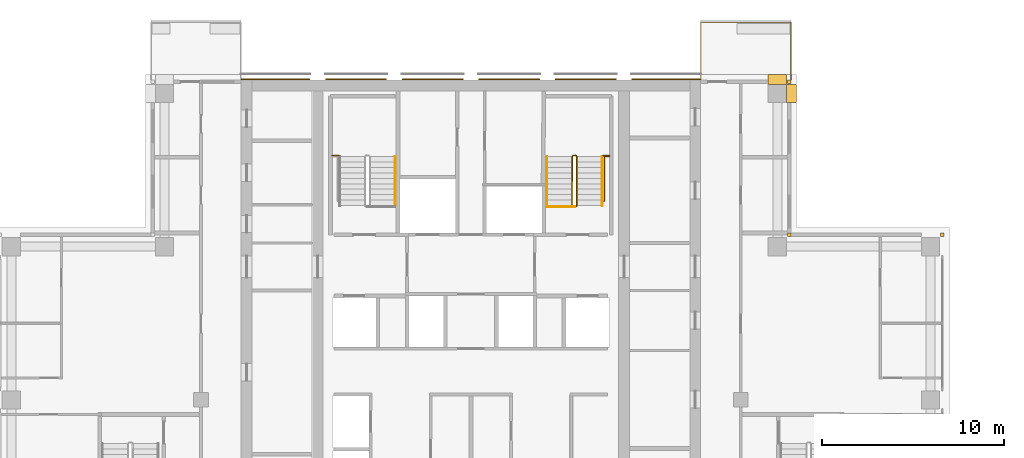
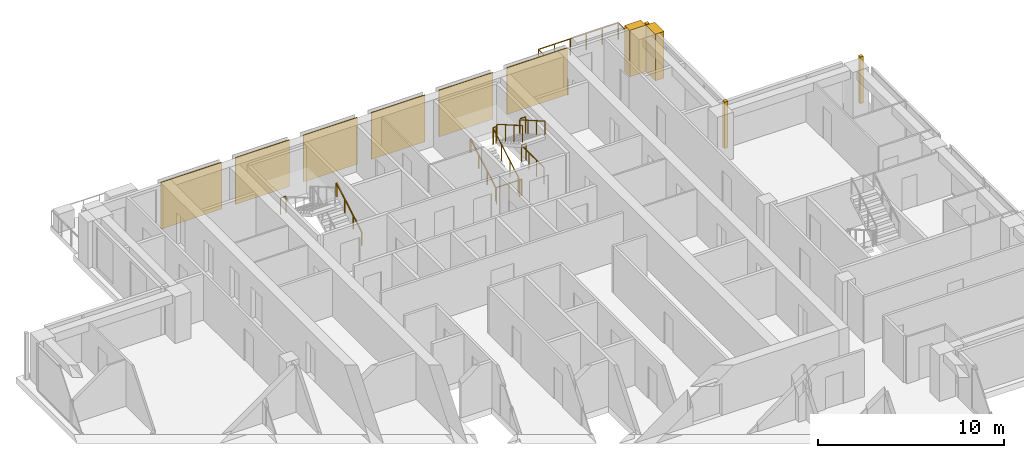
# One storey, part 17 of 17: 11 coverings, 9 railings.
"""IFC4 building model written with IfcOpenShell, lengths in metres."""

from ifc_helpers import new_model, si_unit, direction, frame, origin, origin_2d, place, context, subcontext, project, spatial, polyline, rectangle, outline, extrude, material, type_object, element, save


model = new_model("IFC4")

# Units and contexts
model_context = context("Model", 3, precision=1e-05, world=origin(), true_north=direction((0.0, 1.0)))
body_context = subcontext(model_context, "Body", "Model", "MODEL_VIEW")
ifc_project = project(units=[si_unit("LENGTHUNIT", "METRE"), si_unit("AREAUNIT", "SQUARE_METRE"), si_unit("VOLUMEUNIT", "CUBIC_METRE"), si_unit("PLANEANGLEUNIT", "RADIAN"), si_unit("MASSUNIT", "GRAM", prefix="KILO")], contexts=[model_context])

# Site, building, storey
site_placement = place(None, origin())
site = spatial("IfcSite", under=ifc_project, at=site_placement, CompositionType="ELEMENT")
building_placement = place(site_placement, origin())
building = spatial("IfcBuilding", under=site, at=building_placement, Name="Vermilion Ogive Tower", CompositionType="ELEMENT")
storey_placement = place(building_placement, frame((0.0, 0.0, 189.35009765625)))
storey = spatial("IfcBuildingStorey", under=building, at=storey_placement, Name="L49", CompositionType="ELEMENT", Elevation=189.35009765625)

# Railings
ifc_material_1 = material(Name="Stainless steel and glass", Category="steel")
railing_type_1 = type_object("IfcRailingType", Name="Balcony guard", PredefinedType="GUARDRAIL", material=ifc_material_1)
railing_1_placement = place(storey_placement, frame((17.550048828125, 21.75, -0.0400390625)))
element("IfcRailing", 1, at=railing_1_placement, inside=storey, type_object=railing_type_1, Name="Guard N101", PredefinedType="GUARDRAIL", context=body_context, shape_type="SweptSolid", body=[
    extrude(rectangle(XDim=0.048095703125, YDim=0.048095703125, at=origin_2d()), frame((0.0, 0.0, 1.076171875), z_axis=(0.0, 1.0, 0.0), x_axis=(-1.0, 0.0, 0.0)), (0.0, 0.0, 1.0), 3.159912109375),
    extrude(rectangle(XDim=0.048095703125, YDim=0.048095703125, at=origin_2d()), frame((0.0, 3.159912109375, 1.076171875), z_axis=(-1.0, 0.0, 0.0), x_axis=(0.0, -1.0, 0.0)), (0.0, 0.0, 1.0), 4.949951171875),
    extrude(rectangle(XDim=0.048095703125, YDim=0.048095703125, at=origin_2d()), frame((-4.949951171875, 3.159912109375, 1.076171875), z_axis=(0.0, -1.0, 0.0), x_axis=(1.0, 0.0, 0.0)), (0.0, 0.0, 1.0), 3.159912109375),
    extrude(rectangle(XDim=0.0419921875, YDim=0.0419921875, at=origin_2d()), origin(), (0.0, 0.0, 1.0), 1.052001953125),
    extrude(rectangle(XDim=0.0419921875, YDim=0.0419921875, at=origin_2d()), frame((0.0, 1.05322265625, 0.0)), (0.0, 0.0, 1.0), 1.052001953125),
    extrude(rectangle(XDim=0.0419921875, YDim=0.0419921875, at=origin_2d()), frame((0.0, 2.106689453125, 0.0)), (0.0, 0.0, 1.0), 1.052001953125),
    extrude(rectangle(XDim=0.0419921875, YDim=0.0419921875, at=origin_2d()), frame((0.0, 3.159912109375, 0.0)), (0.0, 0.0, 1.0), 1.052001953125),
    extrude(rectangle(XDim=0.0419921875, YDim=0.0419921875, at=origin_2d()), frame((-0.989990234375, 3.159912109375, 0.0)), (0.0, 0.0, 1.0), 1.052001953125),
    extrude(rectangle(XDim=0.0419921875, YDim=0.0419921875, at=origin_2d()), frame((-1.97998046875, 3.159912109375, 0.0)), (0.0, 0.0, 1.0), 1.052001953125),
    extrude(rectangle(XDim=0.0419921875, YDim=0.0419921875, at=origin_2d()), frame((-2.969970703125, 3.159912109375, 0.0)), (0.0, 0.0, 1.0), 1.052001953125),
    extrude(rectangle(XDim=0.0419921875, YDim=0.0419921875, at=origin_2d()), frame((-3.9599609375, 3.159912109375, 0.0)), (0.0, 0.0, 1.0), 1.052001953125),
    extrude(rectangle(XDim=0.0419921875, YDim=0.0419921875, at=origin_2d()), frame((-4.949951171875, 3.159912109375, 0.0)), (0.0, 0.0, 1.0), 1.052001953125),
    extrude(rectangle(XDim=0.0419921875, YDim=0.0419921875, at=origin_2d()), frame((-4.949951171875, 2.106689453125, 0.0)), (0.0, 0.0, 1.0), 1.052001953125),
    extrude(rectangle(XDim=0.0419921875, YDim=0.0419921875, at=origin_2d()), frame((-4.949951171875, 1.05322265625, 0.0)), (0.0, 0.0, 1.0), 1.052001953125),
    extrude(rectangle(XDim=0.0419921875, YDim=0.0419921875, at=origin_2d()), frame((-4.949951171875, 0.0, 0.0)), (0.0, 0.0, 1.0), 1.052001953125),
])
ifc_material_2 = material(Name="Steel S355 painted", Category="steel")
railing_type_2 = type_object("IfcRailingType", Name="Stair guard 1100", PredefinedType="GUARDRAIL", material=ifc_material_2)
railing_2_placement = place(storey_placement, frame((5.75, 14.800048828125, 0.0)))
element("IfcRailing", 2, at=railing_2_placement, inside=storey, type_object=railing_type_2, Name="L49 ST2 stair guard 4", PredefinedType="GUARDRAIL", context=body_context, shape_type="SweptSolid", body=[
    extrude(rectangle(XDim=0.048095703125, YDim=0.048095703125, at=origin_2d()), frame((0.0, 0.0, 1.076171875), z_axis=(-1.0, 0.0, 0.0), x_axis=(0.0, -1.0, 0.0)), (0.0, 0.0, 1.0), 0.14990234375),
    extrude(rectangle(XDim=0.048095703125, YDim=0.048095703125, at=origin_2d()), frame((-0.14990234375, 0.0, 1.076171875), z_axis=(-0.268603158521, 0.268603158521, 0.925043072762), x_axis=(-0.707106781187, -0.707106781187, 0.0)), (0.0, 0.0, 1.0), 0.186279296875),
    extrude(rectangle(XDim=0.048095703125, YDim=0.048095703125, at=origin_2d()), frame((-0.199951171875, 0.050048828125, 1.24853515625), z_axis=(0.0, 0.866903762492, 0.498475542607), x_axis=(-1.0, 0.0, 0.0)), (0.0, 0.0, 1.0), 3.114501953125),
    extrude(rectangle(XDim=0.048095703125, YDim=0.048095703125, at=origin_2d()), frame((-0.199951171875, 2.75, 2.80078125), z_axis=(0.707106781187, 0.707106781187, 0.0), x_axis=(-0.707106781187, 0.707106781187, 0.0)), (0.0, 0.0, 1.0), 0.07080078125),
    extrude(rectangle(XDim=0.048095703125, YDim=0.048095703125, at=origin_2d()), frame((-0.14990234375, 2.800048828125, 2.80078125), z_axis=(1.0, 0.0, 0.0), x_axis=(0.0, 1.0, 0.0)), (0.0, 0.0, 1.0), 0.14990234375),
    extrude(rectangle(XDim=0.048095703125, YDim=0.048095703125, at=origin_2d()), frame((0.0, 2.800048828125, 2.80078125), z_axis=(0.268277960024, -0.268277960024, 0.925231793839), x_axis=(0.707106781187, 0.707106781187, 0.0)), (0.0, 0.0, 1.0), 0.1865234375),
    extrude(rectangle(XDim=0.048095703125, YDim=0.048095703125, at=origin_2d()), frame((0.050048828125, 2.75, 2.9736328125), z_axis=(0.0, -0.866903762492, 0.498475542607), x_axis=(1.0, 0.0, 0.0)), (0.0, 0.0, 1.0), 3.114501953125),
    extrude(rectangle(XDim=0.0419921875, YDim=0.0419921875, at=origin_2d()), origin(), (0.0, 0.0, 1.0), 1.052001953125),
    extrude(rectangle(XDim=0.0419921875, YDim=0.0419921875, at=origin_2d()), frame((-0.14990234375, 0.0, 0.0)), (0.0, 0.0, 1.0), 1.052001953125),
    extrude(rectangle(XDim=0.0419921875, YDim=0.0419921875, at=origin_2d()), frame((-0.199951171875, 0.050048828125, 0.17236328125)), (0.0, 0.0, 1.0), 1.052001953125),
    extrude(rectangle(XDim=0.0419921875, YDim=0.0419921875, at=origin_2d()), frame((-0.199951171875, 0.949951171875, 0.68994140625)), (0.0, 0.0, 1.0), 1.052001953125),
    extrude(rectangle(XDim=0.0419921875, YDim=0.0419921875, at=origin_2d()), frame((-0.199951171875, 1.85009765625, 1.207275390625)), (0.0, 0.0, 1.0), 1.052001953125),
    extrude(rectangle(XDim=0.0419921875, YDim=0.0419921875, at=origin_2d()), frame((-0.199951171875, 2.75, 1.724853515625)), (0.0, 0.0, 1.0), 1.052001953125),
    extrude(rectangle(XDim=0.0419921875, YDim=0.0419921875, at=origin_2d()), frame((-0.14990234375, 2.800048828125, 1.724853515625)), (0.0, 0.0, 1.0), 1.052001953125),
    extrude(rectangle(XDim=0.0419921875, YDim=0.0419921875, at=origin_2d()), frame((0.0, 2.800048828125, 1.724853515625)), (0.0, 0.0, 1.0), 1.052001953125),
    extrude(rectangle(XDim=0.0419921875, YDim=0.0419921875, at=origin_2d()), frame((0.050048828125, 2.75, 1.8974609375)), (0.0, 0.0, 1.0), 1.052001953125),
    extrude(rectangle(XDim=0.0419921875, YDim=0.0419921875, at=origin_2d()), frame((0.050048828125, 1.85009765625, 2.4150390625)), (0.0, 0.0, 1.0), 1.052001953125),
    extrude(rectangle(XDim=0.0419921875, YDim=0.0419921875, at=origin_2d()), frame((0.050048828125, 0.949951171875, 2.932373046875)), (0.0, 0.0, 1.0), 1.052001953125),
    extrude(rectangle(XDim=0.0419921875, YDim=0.0419921875, at=origin_2d()), frame((0.050048828125, 0.050048828125, 3.449951171875)), (0.0, 0.0, 1.0), 1.052001953125),
])
for number, where, name in (
    (3, (-7.60009765625, 17.60009765625, 1.724853515625), "L49 landing guard"),
    (4, (7.25, 17.60009765625, 1.724853515625), "L49 landing guard"),
):
    element("IfcRailing", number, at=place(storey_placement, frame(where)), inside=storey, type_object=railing_type_2, Name=name, PredefinedType="GUARDRAIL", context=body_context, shape_type="SweptSolid", body=[
        extrude(rectangle(XDim=0.048095703125, YDim=0.048095703125, at=origin_2d()), frame((0.0, 0.0, 1.076171875), z_axis=(1.0, 0.0, 0.0), x_axis=(0.0, 1.0, 0.0)), (0.0, 0.0, 1.0), 0.35009765625),
        extrude(rectangle(XDim=0.0419921875, YDim=0.0419921875, at=origin_2d()), origin(), (0.0, 0.0, 1.0), 1.052001953125),
        extrude(rectangle(XDim=0.0419921875, YDim=0.0419921875, at=origin_2d()), frame((0.35009765625, 0.0, 0.0)), (0.0, 0.0, 1.0), 1.052001953125),
    ])
railing_3_placement = place(storey_placement, frame((7.599609375, 17.54296875, 0.0)))
element("IfcRailing", 5, at=railing_3_placement, inside=storey, type_object=railing_type_2, Name="L49 stair opening guard", PredefinedType="GUARDRAIL", context=body_context, shape_type="SweptSolid", body=[
    extrude(rectangle(XDim=0.048095703125, YDim=0.048095703125, at=origin_2d()), frame((0.0, 0.0, 1.076171875), z_axis=(-1.0, 0.0, 0.0), x_axis=(0.0, -1.0, 0.0)), (0.0, 0.0, 1.0), 0.2900390625),
    extrude(rectangle(XDim=0.048095703125, YDim=0.048095703125, at=origin_2d()), frame((-0.2900390625, 0.0, 1.076171875), z_axis=(0.0, -1.0, 0.0), x_axis=(1.0, 0.0, 0.0)), (0.0, 0.0, 1.0), 2.42431640625),
    extrude(rectangle(XDim=0.0419921875, YDim=0.0419921875, at=origin_2d()), origin(), (0.0, 0.0, 1.0), 1.052001953125),
    extrude(rectangle(XDim=0.0419921875, YDim=0.0419921875, at=origin_2d()), frame((-0.2900390625, 0.0, 0.0)), (0.0, 0.0, 1.0), 1.052001953125),
    extrude(rectangle(XDim=0.0419921875, YDim=0.0419921875, at=origin_2d()), frame((-0.2900390625, -0.80810546875, 0.0)), (0.0, 0.0, 1.0), 1.052001953125),
    extrude(rectangle(XDim=0.0419921875, YDim=0.0419921875, at=origin_2d()), frame((-0.2900390625, -1.6162109375, 0.0)), (0.0, 0.0, 1.0), 1.052001953125),
    extrude(rectangle(XDim=0.0419921875, YDim=0.0419921875, at=origin_2d()), frame((-0.2900390625, -2.42431640625, 0.0)), (0.0, 0.0, 1.0), 1.052001953125),
])
railing_4_placement = place(storey_placement, frame((5.699951171875, 14.7900390625, 0.0)))
element("IfcRailing", 6, at=railing_4_placement, inside=storey, type_object=railing_type_2, Name="L49 stair opening guard", PredefinedType="GUARDRAIL", context=body_context, shape_type="SweptSolid", body=[
    extrude(rectangle(XDim=0.048095703125, YDim=0.048095703125, at=origin_2d()), frame((0.0, 0.0, 1.076171875), z_axis=(-1.0, 0.0, 0.0), x_axis=(0.0, -1.0, 0.0)), (0.0, 0.0, 1.0), 1.5400390625),
    extrude(rectangle(XDim=0.0419921875, YDim=0.0419921875, at=origin_2d()), origin(), (0.0, 0.0, 1.0), 1.052001953125),
    extrude(rectangle(XDim=0.0419921875, YDim=0.0419921875, at=origin_2d()), frame((-0.77001953125, 0.0, 0.0)), (0.0, 0.0, 1.0), 1.052001953125),
    extrude(rectangle(XDim=0.0419921875, YDim=0.0419921875, at=origin_2d()), frame((-1.5400390625, 0.0, 0.0)), (0.0, 0.0, 1.0), 1.052001953125),
])
ifc_material_3 = material(Name="Stainless steel", Category="steel")
railing_type_3 = type_object("IfcRailingType", Name="Stair handrail 900", PredefinedType="HANDRAIL", material=ifc_material_3)
for number, where, name in (
    (7, (-4.14990234375, 14.85009765625, 0.17236328125), "L49 ST1 stair handrail 1"),
    (8, (4.14990234375, 14.85009765625, 0.17236328125), "L49 ST2 stair handrail 1"),
):
    element("IfcRailing", number, at=place(storey_placement, frame(where)), inside=storey, type_object=railing_type_3, Name=name, PredefinedType="HANDRAIL", context=body_context, shape_type="SweptSolid", body=[
        extrude(rectangle(XDim=0.048095703125, YDim=0.048095703125, at=origin_2d()), frame((0.0, 0.0, 0.8759765625), z_axis=(0.0, 0.866903762492, 0.498475542607), x_axis=(-1.0, 0.0, 0.0)), (0.0, 0.0, 1.0), 3.114501953125),
        extrude(rectangle(XDim=0.0419921875, YDim=0.0419921875, at=origin_2d()), origin(), (0.0, 0.0, 1.0), 0.851806640625),
        extrude(rectangle(XDim=0.0419921875, YDim=0.0419921875, at=origin_2d()), frame((0.0, 0.89990234375, 0.517578125)), (0.0, 0.0, 1.0), 0.851806640625),
        extrude(rectangle(XDim=0.0419921875, YDim=0.0419921875, at=origin_2d()), frame((0.0, 1.800048828125, 1.034912109375)), (0.0, 0.0, 1.0), 0.851806640625),
        extrude(rectangle(XDim=0.0419921875, YDim=0.0419921875, at=origin_2d()), frame((0.0, 2.699951171875, 1.552490234375)), (0.0, 0.0, 1.0), 0.851806640625),
    ])
railing_5_placement = place(storey_placement, frame((7.199951171875, 17.550048828125, 1.8974609375)))
element("IfcRailing", 9, at=railing_5_placement, inside=storey, type_object=railing_type_3, Name="L49 ST2 stair handrail 2", PredefinedType="HANDRAIL", context=body_context, shape_type="SweptSolid", body=[
    extrude(rectangle(XDim=0.048095703125, YDim=0.048095703125, at=origin_2d()), frame((0.0, 0.0, 0.8759765625), z_axis=(0.0, -0.866903762492, 0.498475542607), x_axis=(1.0, 0.0, 0.0)), (0.0, 0.0, 1.0), 3.114501953125),
    extrude(rectangle(XDim=0.0419921875, YDim=0.0419921875, at=origin_2d()), origin(), (0.0, 0.0, 1.0), 0.851806640625),
    extrude(rectangle(XDim=0.0419921875, YDim=0.0419921875, at=origin_2d()), frame((0.0, -0.89990234375, 0.517578125)), (0.0, 0.0, 1.0), 0.851806640625),
    extrude(rectangle(XDim=0.0419921875, YDim=0.0419921875, at=origin_2d()), frame((0.0, -1.800048828125, 1.034912109375)), (0.0, 0.0, 1.0), 0.851806640625),
    extrude(rectangle(XDim=0.0419921875, YDim=0.0419921875, at=origin_2d()), frame((0.0, -2.699951171875, 1.552490234375)), (0.0, 0.0, 1.0), 0.851806640625),
])

# Coverings
ifc_material_4 = material(Name="Stone cladding", Category="masonry")
covering_type_1 = type_object("IfcCoveringType", Name="Stone cladding panel", PredefinedType="CLADDING", material=ifc_material_4)
covering_1_placement = place(storey_placement, origin())
element("IfcCovering", 10, at=covering_1_placement, inside=storey, type_object=covering_type_1, Name="Stone cladding panel N1", PredefinedType="CLADDING", context=body_context, shape_type="SweptSolid", body=[
    extrude(outline(polyline([(-12.590087890625, 21.75), (-8.830078125, 21.75), (-8.830078125, 21.81005859375), (-12.590087890625, 21.81005859375), (-12.590087890625, 21.75)])), origin(), (0.0, 0.0, 1.0), 3.0498046875),
])
covering_2_placement = place(storey_placement, origin())
element("IfcCovering", 11, at=covering_2_placement, inside=storey, type_object=covering_type_1, Name="Stone cladding panel N2", PredefinedType="CLADDING", context=body_context, shape_type="SweptSolid", body=[
    extrude(outline(polyline([(-7.969970703125, 21.75), (-4.6298828125, 21.75), (-4.6298828125, 21.81005859375), (-7.969970703125, 21.81005859375), (-7.969970703125, 21.75)])), origin(), (0.0, 0.0, 1.0), 3.0498046875),
])
covering_3_placement = place(storey_placement, origin())
element("IfcCovering", 12, at=covering_3_placement, inside=storey, type_object=covering_type_1, Name="Stone cladding panel N3", PredefinedType="CLADDING", context=body_context, shape_type="SweptSolid", body=[
    extrude(outline(polyline([(-3.77001953125, 21.75), (-0.429931640625, 21.75), (-0.429931640625, 21.81005859375), (-3.77001953125, 21.81005859375), (-3.77001953125, 21.75)])), origin(), (0.0, 0.0, 1.0), 3.0498046875),
])
covering_4_placement = place(storey_placement, origin())
element("IfcCovering", 13, at=covering_4_placement, inside=storey, type_object=covering_type_1, Name="Stone cladding panel N4", PredefinedType="CLADDING", context=body_context, shape_type="SweptSolid", body=[
    extrude(outline(polyline([(0.429931640625, 21.75), (3.77001953125, 21.75), (3.77001953125, 21.81005859375), (0.429931640625, 21.81005859375), (0.429931640625, 21.75)])), origin(), (0.0, 0.0, 1.0), 3.0498046875),
])
covering_5_placement = place(storey_placement, origin())
element("IfcCovering", 14, at=covering_5_placement, inside=storey, type_object=covering_type_1, Name="Stone cladding panel N5", PredefinedType="CLADDING", context=body_context, shape_type="SweptSolid", body=[
    extrude(outline(polyline([(4.6298828125, 21.75), (7.969970703125, 21.75), (7.969970703125, 21.81005859375), (4.6298828125, 21.81005859375), (4.6298828125, 21.75)])), origin(), (0.0, 0.0, 1.0), 3.0498046875),
])
covering_6_placement = place(storey_placement, origin())
element("IfcCovering", 15, at=covering_6_placement, inside=storey, type_object=covering_type_1, Name="Stone cladding panel N6", PredefinedType="CLADDING", context=body_context, shape_type="SweptSolid", body=[
    extrude(outline(polyline([(8.830078125, 21.75), (12.590087890625, 21.75), (12.590087890625, 21.81005859375), (8.830078125, 21.81005859375), (8.830078125, 21.75)])), origin(), (0.0, 0.0, 1.0), 3.0498046875),
])
ifc_material_5 = material(Name="Stone cladding", Category="masonry")
covering_type_2 = type_object("IfcCoveringType", Name="Stone pier", PredefinedType="CLADDING", material=ifc_material_5)
covering_7_placement = place(storey_placement, origin())
element("IfcCovering", 16, at=covering_7_placement, inside=storey, type_object=covering_type_2, Name="Stone corner pier EE1", PredefinedType="CLADDING", context=body_context, shape_type="SweptSolid", body=[
    extrude(outline(polyline([(25.75, 13.14990234375), (25.75, 13.35009765625), (25.949951171875, 13.35009765625), (25.949951171875, 13.14990234375), (25.75, 13.14990234375)])), origin(), (0.0, 0.0, 1.0), 3.0498046875),
])
covering_8_placement = place(storey_placement, origin())
element("IfcCovering", 17, at=covering_8_placement, inside=storey, type_object=covering_type_2, Name="Stone corner pier X3E1", PredefinedType="CLADDING", context=body_context, shape_type="SweptSolid", body=[
    extrude(outline(polyline([(17.35009765625, 13.14990234375), (17.35009765625, 13.35009765625), (17.550048828125, 13.35009765625), (17.550048828125, 13.14990234375), (17.35009765625, 13.14990234375)])), origin(), (0.0, 0.0, 1.0), 3.0498046875),
])
covering_9_placement = place(storey_placement, origin())
element("IfcCovering", 18, at=covering_9_placement, inside=storey, type_object=covering_type_2, Name="Stone corner pier X4E1", PredefinedType="CLADDING", context=body_context, shape_type="SweptSolid", body=[
    extrude(outline(polyline([(17.35009765625, 21.550048828125), (17.35009765625, 21.75), (17.550048828125, 21.75), (17.550048828125, 21.550048828125), (17.35009765625, 21.550048828125)])), origin(), (0.0, 0.0, 1.0), 3.0498046875),
])
covering_10_placement = place(storey_placement, origin())
element("IfcCovering", 19, at=covering_10_placement, inside=storey, type_object=covering_type_2, Name="Stone pier P+0168+210X4", PredefinedType="CLADDING", context=body_context, shape_type="SweptSolid", body=[
    extrude(outline(polyline([(17.85009765625, 21.5), (17.85009765625, 20.5), (17.300048828125, 20.5), (17.300048828125, 21.5), (17.85009765625, 21.5)])), origin(), (0.0, 0.0, 1.0), 3.0498046875),
])
covering_11_placement = place(storey_placement, origin())
element("IfcCovering", 20, at=covering_11_placement, inside=storey, type_object=covering_type_2, Name="Stone pier P+0168+210N1", PredefinedType="CLADDING", context=body_context, shape_type="SweptSolid", body=[
    extrude(outline(polyline([(17.300048828125, 22.050048828125), (17.300048828125, 21.5), (16.300048828125, 21.5), (16.300048828125, 22.050048828125), (17.300048828125, 22.050048828125)])), origin(), (0.0, 0.0, 1.0), 3.0498046875),
])

save(model, "model.ifc")
